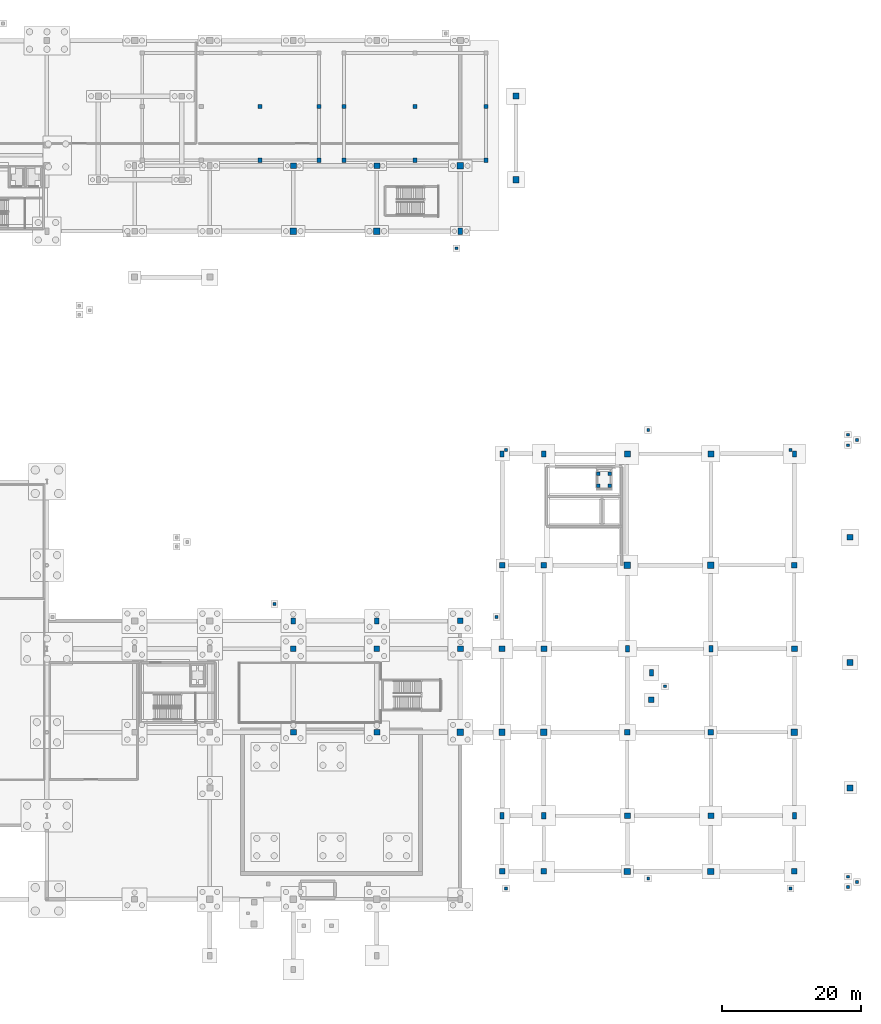
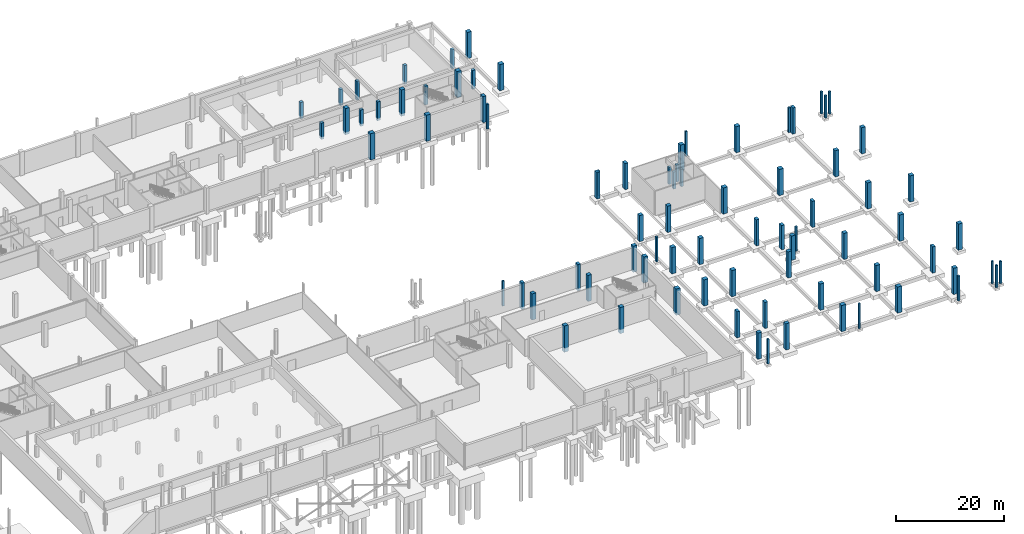
# One storey, part 22 of 42: 82 columns.
"""IFC4 building model written with IfcOpenShell, lengths in metres."""

from ifc_helpers import new_model, si_unit, direction, frame, origin, origin_2d, place, context, subcontext, project, spatial, rectangle, extrude, material, material_profile, profile_set, type_object, element, save


model = new_model("IFC4")

# Units and contexts
model_context = context("Model", 3, precision=1e-05, world=origin(), true_north=direction((0.0, 1.0)))
body_context = subcontext(model_context, "Body", "Model", "MODEL_VIEW")
ifc_project = project(units=[si_unit("LENGTHUNIT", "METRE"), si_unit("AREAUNIT", "SQUARE_METRE"), si_unit("VOLUMEUNIT", "CUBIC_METRE"), si_unit("PLANEANGLEUNIT", "RADIAN"), si_unit("MASSUNIT", "GRAM", prefix="KILO"), si_unit("THERMODYNAMICTEMPERATUREUNIT", "KELVIN"), si_unit("POWERUNIT", "WATT")], contexts=[model_context])

# Site, building, storey
site_placement = place(None, origin())
site = spatial("IfcSite", under=ifc_project, at=site_placement, CompositionType="ELEMENT")
building_placement = place(site_placement, origin())
building = spatial("IfcBuilding", under=site, at=building_placement, Name="Solmara Park Aquatics Centre", CompositionType="ELEMENT")
storey_placement = place(building_placement, frame((0.0, 0.0, -5.39990234375)))
storey = spatial("IfcBuildingStorey", under=building, at=storey_placement, Name="B1", CompositionType="ELEMENT", Elevation=-5.39990234375)

# Columns
ifc_material = material(Name="Concrete C40/50", Category="concrete")
ifc_material_profile_1 = material_profile(ifc_material, rectangle(XDim=0.39990234375, YDim=0.39990234375, at=origin_2d()), Name="RC 400x400")
ifc_profile_set_1 = profile_set([ifc_material_profile_1], Name="Concrete C40/50")
column_type_1 = type_object("IfcColumnType", Name="STR-COL-RC400", PredefinedType="COLUMN", material=ifc_profile_set_1)
for number, where, z_axis, x_axis, name in (
    (1, (155.449951171875, 106.14990234375, -0.550048828125), (0.0, 0.0, 1.0), (1.0, 0.0, 0.0), "Apron Foundation Pier SLB-L00-APR-C-2"),
    (2, (161.199951171875, 53.14990234375, -0.550048828125), (0.0, 0.0, 1.0), (1.0, 0.0, 0.0), "Apron Foundation Pier SLB-L00-APR-V2N-2"),
    (3, (129.300048828125, 55.050048828125, -0.550048828125), (0.0, 0.0, 1.0), (1.0, 0.0, 0.0), "Apron Foundation Pier SLB-L00-APR-V2N-3"),
    (4, (162.550048828125, 77.14990234375, -0.550048828125), (0.0, 0.0, 1.0), (1.0, 0.0, 0.0), "Apron Foundation Pier SLB-L00-APR-V3N-1"),
    (5, (203.449951171875, 77.14990234375, -0.550048828125), (0.0, 0.0, 1.0), (1.0, 0.0, 0.0), "Apron Foundation Pier SLB-L00-APR-V3N-2"),
    (6, (183.0, 80.050048828125, -0.550048828125), (0.0, 0.0, 1.0), (1.0, 0.0, 0.0), "Apron Foundation Pier SLB-L00-APR-V3N-3"),
    (7, (162.550048828125, 14.14990234375, -0.550048828125), (0.0, 0.0, 1.0), (1.0, 0.0, 0.0), "Apron Foundation Pier SLB-L00-APR-V3S-1"),
    (8, (203.449951171875, 14.14990234375, -0.550048828125), (0.0, 0.0, 1.0), (1.0, 0.0, 0.0), "Apron Foundation Pier SLB-L00-APR-V3S-2"),
    (9, (183.0, 15.60009765625, -0.550048828125), (0.0, 0.0, 1.0), (1.0, 0.0, 0.0), "Apron Foundation Pier SLB-L00-APR-V3S-3"),
):
    element("IfcColumn", number, at=place(storey_placement, frame(where, z_axis=z_axis, x_axis=x_axis)), inside=storey, type_object=column_type_1, Name=name, PredefinedType="COLUMN", context=body_context, shape_type="SweptSolid", body=[
        extrude(rectangle(XDim=0.39990234375, YDim=0.39990234375, at=origin_2d()), origin(), (0.0, 0.0, 1.0), 5.64990234375),
    ])
column_1_placement = place(storey_placement, frame((185.409912109375, 43.199951171875, -0.550048828125), z_axis=(0.0, 0.0, 1.0), x_axis=(1.0, 0.0, 0.0)))
element("IfcColumn", 10, at=column_1_placement, inside=storey, type_object=column_type_1, Name="Monumental Foyer Stair ST-06 Half-Landing Pier B1", PredefinedType="COLUMN", context=body_context, shape_type="SweptSolid", body=[
    extrude(rectangle(XDim=0.39990234375, YDim=0.39990234375, at=origin_2d()), origin(), (0.0, 0.0, 1.0), 5.530029296875),
])
for number, where, z_axis, x_axis, name in (
    (11, (211.699951171875, 77.85009765625, -0.550048828125), (0.0, 0.0, 1.0), (1.0, 0.0, 0.0), "Main Park Entrance North Accessible Ramp Foundation Pier 1"),
    (12, (211.699951171875, 79.35009765625, -0.550048828125), (0.0, 0.0, 1.0), (1.0, 0.0, 0.0), "Main Park Entrance North Accessible Ramp Foundation Pier 2"),
    (13, (213.0, 78.60009765625, -0.550048828125), (0.0, 0.0, 1.0), (1.0, 0.0, 0.0), "Main Park Entrance North Accessible Ramp Foundation Pier 3"),
    (14, (211.699951171875, 14.35009765625, -0.550048828125), (0.0, 0.0, 1.0), (1.0, 0.0, 0.0), "Main Park Entrance South Accessible Ramp Foundation Pier 1"),
    (15, (211.699951171875, 15.85009765625, -0.550048828125), (0.0, 0.0, 1.0), (1.0, 0.0, 0.0), "Main Park Entrance South Accessible Ramp Foundation Pier 2"),
    (16, (213.0, 15.10009765625, -0.550048828125), (0.0, 0.0, 1.0), (1.0, 0.0, 0.0), "Main Park Entrance South Accessible Ramp Foundation Pier 3"),
):
    element("IfcColumn", number, at=place(storey_placement, frame(where, z_axis=z_axis, x_axis=x_axis)), inside=storey, type_object=column_type_1, Name=name, PredefinedType="COLUMN", context=body_context, shape_type="SweptSolid", body=[
        extrude(rectangle(XDim=0.39990234375, YDim=0.39990234375, at=origin_2d()), origin(), (0.0, 0.0, 1.0), 5.050048828125),
    ])
ifc_material_profile_2 = material_profile(ifc_material, rectangle(XDim=0.5, YDim=0.5, at=origin_2d()), Name="RC 500x500")
ifc_profile_set_2 = profile_set([ifc_material_profile_2], Name="Concrete C40/50")
column_type_2 = type_object("IfcColumnType", Name="STR-COL-RC500", PredefinedType="COLUMN", material=ifc_profile_set_2)
for number, where, z_axis, x_axis, name in (
    (17, (175.85009765625, 72.050048828125, -0.550048828125), (0.0, 0.0, 1.0), (1.0, 0.0, 0.0), "Lift Shaft LF-07 Pit Support Pier 1"),
    (18, (177.449951171875, 72.050048828125, -0.550048828125), (0.0, 0.0, 1.0), (1.0, 0.0, 0.0), "Lift Shaft LF-07 Pit Support Pier 2"),
    (19, (175.85009765625, 73.75, -0.550048828125), (0.0, 0.0, 1.0), (1.0, 0.0, 0.0), "Lift Shaft LF-07 Pit Support Pier 3"),
    (20, (177.449951171875, 73.75, -0.550048828125), (0.0, 0.0, 1.0), (1.0, 0.0, 0.0), "Lift Shaft LF-07 Pit Support Pier 4"),
):
    element("IfcColumn", number, at=place(storey_placement, frame(where, z_axis=z_axis, x_axis=x_axis)), inside=storey, type_object=column_type_2, Name=name, PredefinedType="COLUMN", context=body_context, shape_type="SweptSolid", body=[
        extrude(rectangle(XDim=0.5, YDim=0.5, at=origin_2d()), origin(), (0.0, 0.0, 1.0), 3.89990234375),
    ])
ifc_material_profile_3 = material_profile(ifc_material, rectangle(XDim=0.60009765625, YDim=0.60009765625, at=origin_2d()), Name="RC 600x600")
ifc_profile_set_3 = profile_set([ifc_material_profile_3], Name="Concrete C40/50")
column_type_3 = type_object("IfcColumnType", Name="STR-COL-RC600", PredefinedType="COLUMN", material=ifc_profile_set_3)
for number, where, z_axis, x_axis, name in (
    (21, (127.2333984375, 118.800048828125, -0.550048828125), (0.0, 0.0, 1.0), (1.0, 0.0, 0.0), "Pool Tank Support Column 035"),
    (22, (127.2333984375, 126.5, -0.550048828125), (0.0, 0.0, 1.0), (1.0, 0.0, 0.0), "Pool Tank Support Column 036"),
    (23, (135.699951171875, 118.800048828125, -0.550048828125), (0.0, 0.0, 1.0), (1.0, 0.0, 0.0), "Pool Tank Support Column 038"),
    (24, (135.699951171875, 126.5, -0.550048828125), (0.0, 0.0, 1.0), (1.0, 0.0, 0.0), "Pool Tank Support Column 039"),
):
    element("IfcColumn", number, at=place(storey_placement, frame(where, z_axis=z_axis, x_axis=x_axis)), inside=storey, type_object=column_type_3, Name=name, PredefinedType="COLUMN", context=body_context, shape_type="SweptSolid", body=[
        extrude(rectangle(XDim=0.60009765625, YDim=0.60009765625, at=origin_2d()), origin(), (0.0, 0.0, 1.0), 3.699951171875),
    ])
for number, where, z_axis, x_axis, name in (
    (25, (139.300048828125, 118.800048828125, -0.550048828125), (0.0, 0.0, 1.0), (1.0, 0.0, 0.0), "Pool Tank Support Column 041"),
    (26, (139.300048828125, 126.5, -0.550048828125), (0.0, 0.0, 1.0), (1.0, 0.0, 0.0), "Pool Tank Support Column 042"),
    (27, (149.5, 118.800048828125, -0.550048828125), (0.0, 0.0, 1.0), (1.0, 0.0, 0.0), "Pool Tank Support Column 044"),
    (28, (149.5, 126.5, -0.550048828125), (0.0, 0.0, 1.0), (1.0, 0.0, 0.0), "Pool Tank Support Column 045"),
    (29, (159.699951171875, 118.800048828125, -0.550048828125), (0.0, 0.0, 1.0), (1.0, 0.0, 0.0), "Pool Tank Support Column 047"),
    (30, (159.699951171875, 126.5, -0.550048828125), (0.0, 0.0, 1.0), (1.0, 0.0, 0.0), "Pool Tank Support Column 048"),
):
    element("IfcColumn", number, at=place(storey_placement, frame(where, z_axis=z_axis, x_axis=x_axis)), inside=storey, type_object=column_type_3, Name=name, PredefinedType="COLUMN", context=body_context, shape_type="SweptSolid", body=[
        extrude(rectangle(XDim=0.60009765625, YDim=0.60009765625, at=origin_2d()), origin(), (0.0, 0.0, 1.0), 4.300048828125),
    ])
ifc_material_profile_4 = material_profile(ifc_material, rectangle(XDim=0.60009765625, YDim=0.89990234375, at=origin_2d()), Name="RC 600x900")
ifc_profile_set_4 = profile_set([ifc_material_profile_4], Name="Concrete C40/50")
column_type_4 = type_object("IfcColumnType", Name="STR-COL-RC600x900", PredefinedType="COLUMN", material=ifc_profile_set_4)
for number, where, z_axis, x_axis, name in (
    (31, (132.0, 52.60009765625, -0.550048828125), (0.0, 0.0, 1.0), (1.0, 0.0, 0.0), "Column B1-0104"),
    (32, (144.0, 52.60009765625, -0.550048828125), (0.0, 0.0, 1.0), (1.0, 0.0, 0.0), "Column B1-0112"),
    (33, (156.0, 108.60009765625, -0.550048828125), (0.0, 0.0, 1.0), (1.0, 0.0, 0.0), "Column B1-0120"),
    (34, (162.0, 24.60009765625, -0.550048828125), (0.0, 0.0, 1.0), (1.0, 0.0, 0.0), "Column B1-0124"),
    (35, (162.0, 76.60009765625, -0.550048828125), (0.0, 0.0, 1.0), (1.0, 0.0, 0.0), "Column B1-0128"),
    (36, (168.0, 24.60009765625, -0.550048828125), (0.0, 0.0, 1.0), (1.0, 0.0, 0.0), "Column B1-0132"),
    (37, (168.0, 76.60009765625, -0.550048828125), (0.0, 0.0, 1.0), (1.0, 0.0, 0.0), "Column B1-0136"),
    (38, (180.0, 48.60009765625, -0.550048828125), (0.0, 0.0, 1.0), (1.0, 0.0, 0.0), "Column B1-0140"),
):
    element("IfcColumn", number, at=place(storey_placement, frame(where, z_axis=z_axis, x_axis=x_axis)), inside=storey, type_object=column_type_4, Name=name, PredefinedType="COLUMN", context=body_context, shape_type="SweptSolid", body=[
        extrude(rectangle(XDim=0.60009765625, YDim=0.89990234375, at=origin_2d()), origin(), (0.0, 0.0, 1.0), 5.949951171875),
    ])
column_2_placement = place(storey_placement, frame((183.449951171875, 45.14990234375, -0.550048828125), z_axis=(0.0, 0.0, 1.0), x_axis=(1.0, 0.0, 0.0)))
element("IfcColumn", 39, at=column_2_placement, inside=storey, type_object=column_type_4, Name="Column B1-0144", PredefinedType="COLUMN", context=body_context, shape_type="SweptSolid", body=[
    extrude(rectangle(XDim=0.60009765625, YDim=0.89990234375, at=origin_2d()), origin(), (0.0, 0.0, 1.0), 5.530029296875),
])
for number, where, z_axis, x_axis, name in (
    (40, (192.0, 48.60009765625, -0.550048828125), (0.0, 0.0, 1.0), (1.0, 0.0, 0.0), "Column B1-0148"),
    (41, (204.0, 24.60009765625, -0.550048828125), (0.0, 0.0, 1.0), (1.0, 0.0, 0.0), "Column B1-0152"),
    (42, (204.0, 76.60009765625, -0.550048828125), (0.0, 0.0, 1.0), (1.0, 0.0, 0.0), "Column B1-0156"),
):
    element("IfcColumn", number, at=place(storey_placement, frame(where, z_axis=z_axis, x_axis=x_axis)), inside=storey, type_object=column_type_4, Name=name, PredefinedType="COLUMN", context=body_context, shape_type="SweptSolid", body=[
        extrude(rectangle(XDim=0.60009765625, YDim=0.89990234375, at=origin_2d()), origin(), (0.0, 0.0, 1.0), 5.949951171875),
    ])
ifc_material_profile_5 = material_profile(ifc_material, rectangle(XDim=0.800048828125, YDim=0.800048828125, at=origin_2d()), Name="RC 800x800")
ifc_profile_set_5 = profile_set([ifc_material_profile_5], Name="Concrete C40/50")
column_type_5 = type_object("IfcColumnType", Name="STR-COL-RC800", PredefinedType="COLUMN", material=ifc_profile_set_5)
for number, where, z_axis, x_axis, name in (
    (43, (132.0, 48.60009765625, -0.550048828125), (0.0, 0.0, 1.0), (1.0, 0.0, 0.0), "Column B1-0103"),
    (44, (144.0, 48.60009765625, -0.550048828125), (0.0, 0.0, 1.0), (1.0, 0.0, 0.0), "Column B1-0111"),
    (45, (156.0, 52.60009765625, -0.550048828125), (0.0, 0.0, 1.0), (1.0, 0.0, 0.0), "Column B1-0119"),
    (46, (162.0, 16.60009765625, -0.550048828125), (0.0, 0.0, 1.0), (1.0, 0.0, 0.0), "Column B1-0123"),
    (47, (162.0, 60.60009765625, -0.550048828125), (0.0, 0.0, 1.0), (1.0, 0.0, 0.0), "Column B1-0127"),
    (48, (168.0, 16.60009765625, -0.550048828125), (0.0, 0.0, 1.0), (1.0, 0.0, 0.0), "Column B1-0131"),
    (49, (168.0, 60.60009765625, -0.550048828125), (0.0, 0.0, 1.0), (1.0, 0.0, 0.0), "Column B1-0135"),
    (50, (180.0, 36.60009765625, -0.550048828125), (0.0, 0.0, 1.0), (1.0, 0.0, 0.0), "Column B1-0139"),
):
    element("IfcColumn", number, at=place(storey_placement, frame(where, z_axis=z_axis, x_axis=x_axis)), inside=storey, type_object=column_type_5, Name=name, PredefinedType="COLUMN", context=body_context, shape_type="SweptSolid", body=[
        extrude(rectangle(XDim=0.800048828125, YDim=0.800048828125, at=origin_2d()), origin(), (0.0, 0.0, 1.0), 5.949951171875),
    ])
column_3_placement = place(storey_placement, frame((183.449951171875, 41.25, -0.550048828125), z_axis=(0.0, 0.0, 1.0), x_axis=(1.0, 0.0, 0.0)))
element("IfcColumn", 51, at=column_3_placement, inside=storey, type_object=column_type_5, Name="Column B1-0143", PredefinedType="COLUMN", context=body_context, shape_type="SweptSolid", body=[
    extrude(rectangle(XDim=0.800048828125, YDim=0.800048828125, at=origin_2d()), origin(), (0.0, 0.0, 1.0), 5.530029296875),
])
for number, where, z_axis, x_axis, name in (
    (52, (192.0, 36.60009765625, -0.550048828125), (0.0, 0.0, 1.0), (1.0, 0.0, 0.0), "Column B1-0147"),
    (53, (204.0, 16.60009765625, -0.550048828125), (0.0, 0.0, 1.0), (1.0, 0.0, 0.0), "Column B1-0151"),
    (54, (204.0, 60.60009765625, -0.550048828125), (0.0, 0.0, 1.0), (1.0, 0.0, 0.0), "Column B1-0155"),
    (55, (212.0, 64.60009765625, -0.550048828125), (0.0, 0.0, 1.0), (1.0, 0.0, 0.0), "Column B1-0159"),
):
    element("IfcColumn", number, at=place(storey_placement, frame(where, z_axis=z_axis, x_axis=x_axis)), inside=storey, type_object=column_type_5, Name=name, PredefinedType="COLUMN", context=body_context, shape_type="SweptSolid", body=[
        extrude(rectangle(XDim=0.800048828125, YDim=0.800048828125, at=origin_2d()), origin(), (0.0, 0.0, 1.0), 5.949951171875),
    ])
ifc_material_profile_6 = material_profile(ifc_material, rectangle(XDim=0.85009765625, YDim=0.85009765625, at=origin_2d()), Name="RC 850x850")
ifc_profile_set_6 = profile_set([ifc_material_profile_6], Name="Concrete C40/50")
column_type_6 = type_object("IfcColumnType", Name="STR-COL-RC850", PredefinedType="COLUMN", material=ifc_profile_set_6)
for number, where, z_axis, x_axis, name in (
    (56, (132.0, 36.60009765625, -0.550048828125), (0.0, 0.0, 1.0), (1.0, 0.0, 0.0), "Column B1-0102"),
    (57, (132.0, 118.0, -0.550048828125), (0.0, 0.0, 1.0), (1.0, 0.0, 0.0), "Column B1-0106"),
    (58, (144.0, 36.60009765625, -0.550048828125), (0.0, 0.0, 1.0), (1.0, 0.0, 0.0), "Column B1-0110"),
    (59, (144.0, 118.0, -0.550048828125), (0.0, 0.0, 1.0), (1.0, 0.0, 0.0), "Column B1-0114"),
    (60, (156.0, 48.60009765625, -0.550048828125), (0.0, 0.0, 1.0), (1.0, 0.0, 0.0), "Column B1-0118"),
    (61, (162.0, 48.60009765625, -0.550048828125), (0.0, 0.0, 1.0), (1.0, 0.0, 0.0), "Column B1-0126"),
    (62, (164.0, 128.0, -0.550048828125), (0.0, 0.0, 1.0), (1.0, 0.0, 0.0), "Column B1-0130"),
    (63, (168.0, 48.60009765625, -0.550048828125), (0.0, 0.0, 1.0), (1.0, 0.0, 0.0), "Column B1-0134"),
    (64, (180.0, 24.60009765625, -0.550048828125), (0.0, 0.0, 1.0), (1.0, 0.0, 0.0), "Column B1-0138"),
    (65, (180.0, 76.60009765625, -0.550048828125), (0.0, 0.0, 1.0), (1.0, 0.0, 0.0), "Column B1-0142"),
    (66, (192.0, 24.60009765625, -0.550048828125), (0.0, 0.0, 1.0), (1.0, 0.0, 0.0), "Column B1-0146"),
    (67, (192.0, 76.60009765625, -0.550048828125), (0.0, 0.0, 1.0), (1.0, 0.0, 0.0), "Column B1-0150"),
    (68, (204.0, 48.60009765625, -0.550048828125), (0.0, 0.0, 1.0), (1.0, 0.0, 0.0), "Column B1-0154"),
    (69, (212.0, 46.60009765625, -0.550048828125), (0.0, 0.0, 1.0), (1.0, 0.0, 0.0), "Column B1-0158"),
):
    element("IfcColumn", number, at=place(storey_placement, frame(where, z_axis=z_axis, x_axis=x_axis)), inside=storey, type_object=column_type_6, Name=name, PredefinedType="COLUMN", context=body_context, shape_type="SweptSolid", body=[
        extrude(rectangle(XDim=0.85009765625, YDim=0.85009765625, at=origin_2d()), origin(), (0.0, 0.0, 1.0), 5.949951171875),
    ])
ifc_material_profile_7 = material_profile(ifc_material, rectangle(XDim=0.89990234375, YDim=0.89990234375, at=origin_2d()), Name="RC 900x900")
ifc_profile_set_7 = profile_set([ifc_material_profile_7], Name="Concrete C40/50")
column_type_7 = type_object("IfcColumnType", Name="STR-COL-RC900", PredefinedType="COLUMN", material=ifc_profile_set_7)
for number, where, z_axis, x_axis, name in (
    (70, (132.0, 108.60009765625, -0.550048828125), (0.0, 0.0, 1.0), (1.0, 0.0, 0.0), "Column B1-0105"),
    (71, (144.0, 108.60009765625, -0.550048828125), (0.0, 0.0, 1.0), (1.0, 0.0, 0.0), "Column B1-0113"),
    (72, (156.0, 36.60009765625, -0.550048828125), (0.0, 0.0, 1.0), (1.0, 0.0, 0.0), "Column B1-0117"),
    (73, (156.0, 118.0, -0.550048828125), (0.0, 0.0, 1.0), (1.0, 0.0, 0.0), "Column B1-0121"),
    (74, (162.0, 36.60009765625, -0.550048828125), (0.0, 0.0, 1.0), (1.0, 0.0, 0.0), "Column B1-0125"),
    (75, (164.0, 116.0, -0.550048828125), (0.0, 0.0, 1.0), (1.0, 0.0, 0.0), "Column B1-0129"),
    (76, (168.0, 36.60009765625, -0.550048828125), (0.0, 0.0, 1.0), (1.0, 0.0, 0.0), "Column B1-0133"),
    (77, (180.0, 16.60009765625, -0.550048828125), (0.0, 0.0, 1.0), (1.0, 0.0, 0.0), "Column B1-0137"),
    (78, (180.0, 60.60009765625, -0.550048828125), (0.0, 0.0, 1.0), (1.0, 0.0, 0.0), "Column B1-0141"),
    (79, (192.0, 16.60009765625, -0.550048828125), (0.0, 0.0, 1.0), (1.0, 0.0, 0.0), "Column B1-0145"),
    (80, (192.0, 60.60009765625, -0.550048828125), (0.0, 0.0, 1.0), (1.0, 0.0, 0.0), "Column B1-0149"),
    (81, (204.0, 36.60009765625, -0.550048828125), (0.0, 0.0, 1.0), (1.0, 0.0, 0.0), "Column B1-0153"),
    (82, (212.0, 28.60009765625, -0.550048828125), (0.0, 0.0, 1.0), (1.0, 0.0, 0.0), "Column B1-0157"),
):
    element("IfcColumn", number, at=place(storey_placement, frame(where, z_axis=z_axis, x_axis=x_axis)), inside=storey, type_object=column_type_7, Name=name, PredefinedType="COLUMN", context=body_context, shape_type="SweptSolid", body=[
        extrude(rectangle(XDim=0.89990234375, YDim=0.89990234375, at=origin_2d()), origin(), (0.0, 0.0, 1.0), 5.949951171875),
    ])

save(model, "model.ifc")
